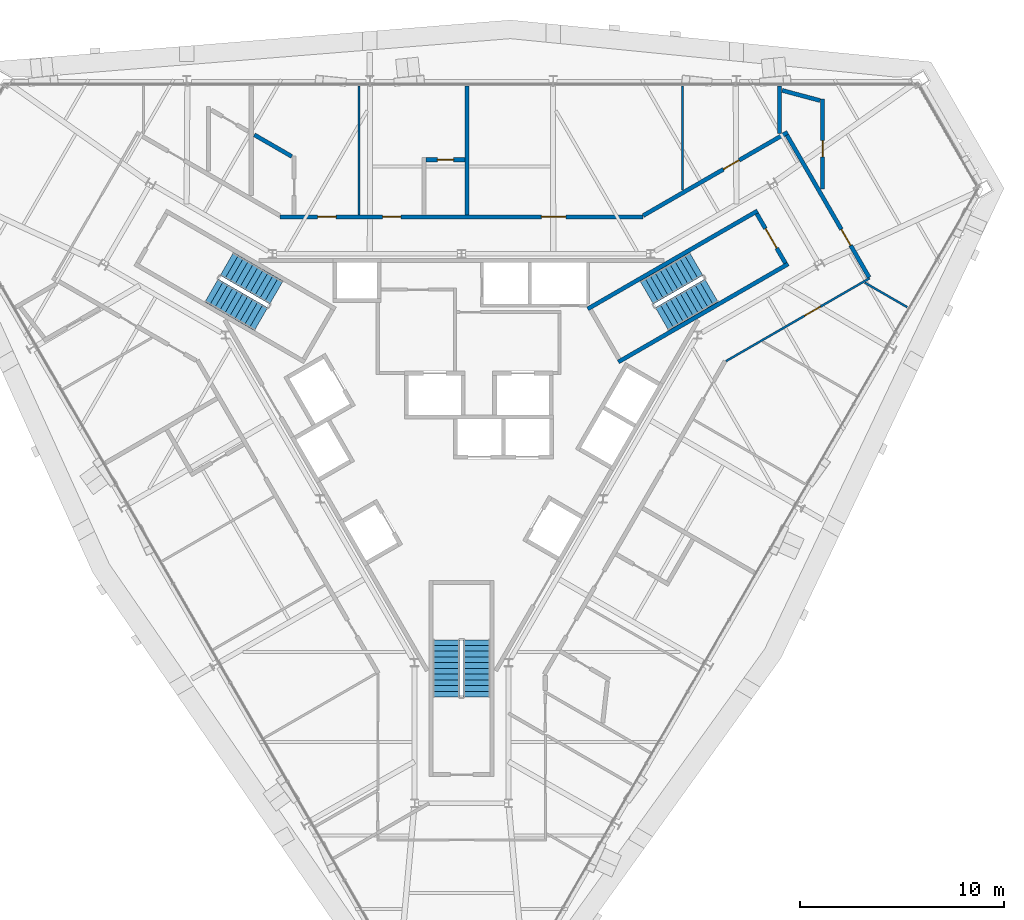
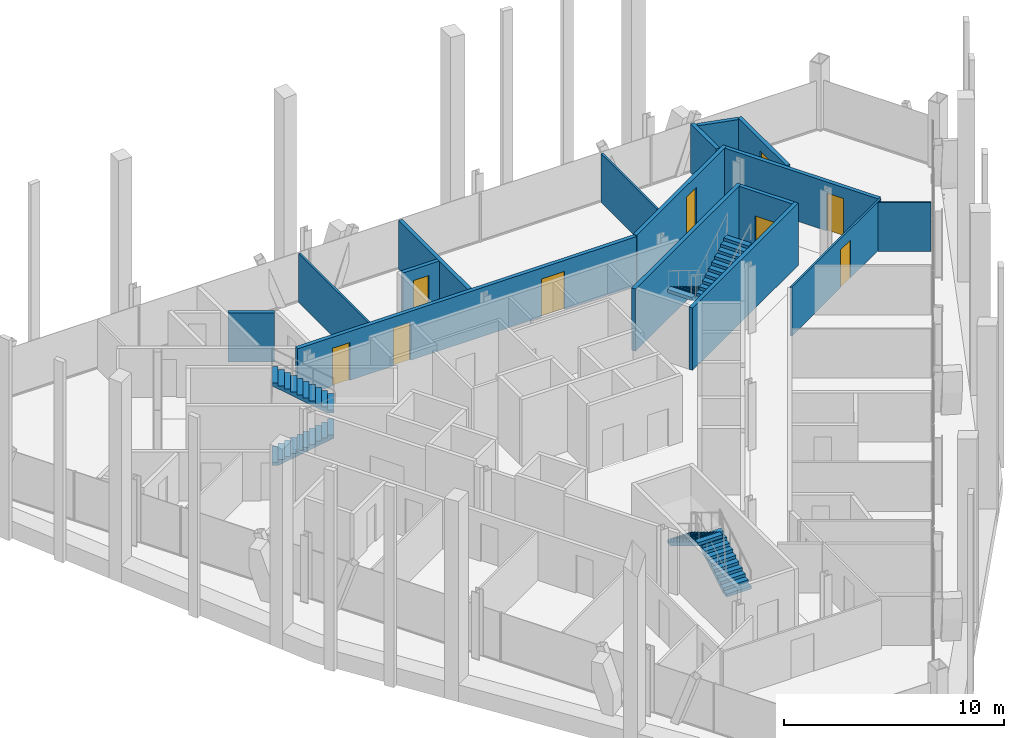
# One storey, part 14 of 16: 16 walls, 9 doors, 6 stair flights, 9 openings, 3 elements without a shape of their own.
"""IFC4 building model written with IfcOpenShell, lengths in metres."""

from ifc_helpers import new_model, si_unit, direction, frame, frame_2d, origin, place, context, subcontext, project, spatial, polyline, rectangle, outline, extrude, material, layer, layer_set, type_object, element, fill, aggregate, save


model = new_model("IFC4")

# Units and contexts
model_context = context("Model", 3, precision=1e-05, world=origin(), true_north=direction((0.0, 1.0)))
body_context = subcontext(model_context, "Body", "Model", "MODEL_VIEW")
ifc_project = project(units=[si_unit("LENGTHUNIT", "METRE"), si_unit("AREAUNIT", "SQUARE_METRE"), si_unit("VOLUMEUNIT", "CUBIC_METRE"), si_unit("PLANEANGLEUNIT", "RADIAN"), si_unit("MASSUNIT", "GRAM", prefix="KILO")], contexts=[model_context])

# Site, building, storey
site_placement = place(None, origin())
site = spatial("IfcSite", under=ifc_project, at=site_placement, CompositionType="ELEMENT")
building_placement = place(site_placement, origin())
building = spatial("IfcBuilding", under=site, at=building_placement, Name="Verrane Prism Tower", CompositionType="ELEMENT")
storey_placement = place(building_placement, frame((0.0, 0.0, 236.0)))
storey = spatial("IfcBuildingStorey", under=building, at=storey_placement, Name="L59", CompositionType="ELEMENT", Elevation=236.0)

# Wall, opening, door
ifc_material_1 = material(Name="Concrete C40/50", Category="concrete")
ifc_layer_1 = layer(ifc_material_1, 0.199951171875)
ifc_layer_set_1 = layer_set([ifc_layer_1], Name="CW-200 stair core wall concrete C40/50 3 h")
wall_type_1 = type_object("IfcWallType", Name="CW-200 stair core wall concrete C40/50 3 h", PredefinedType="PARTITIONING", material=ifc_layer_set_1)
wall_1_placement = place(storey_placement, frame((15.85546875, 7.53759765625, 0.0), z_axis=(0.0, 0.0, 1.0), x_axis=(-0.500049511043, 0.865996816683, 0.0)))
wall_1 = element("IfcWall", 1, at=wall_1_placement, inside=storey, type_object=wall_type_1, Name="Stair 1 enclosure wall", PredefinedType="PARTITIONING", context=body_context, shape_type="SweptSolid", body=[
    extrude(rectangle(XDim=2.800048828125, YDim=0.199951171875, at=frame_2d((1.39990234375, 0.0))), origin(), (0.0, 0.0, 1.0), 3.449951171875),
])
opening_1_placement = place(wall_1_placement, frame((0.849853515625, 0.0, 0.0)))
opening_1 = element("IfcOpeningElement", 2, at=opening_1_placement, cuts=wall_1, Name="Opening D59500", PredefinedType="OPENING", context=body_context, shape_type="SweptSolid", body=[
    extrude(rectangle(XDim=1.10009765625, YDim=2.10009765625, at=frame_2d((0.550048828125, 1.050048828125))), frame((0.0, 0.10986328125, 0.0), z_axis=(0.0, -1.0, 0.0), x_axis=(1.0, 0.0, 0.0)), (0.0, 0.0, 1.0), 0.219970703125),
])
ifc_material_2 = material(Name="Timber veneered door leaf", Category="wood")
door_type_1 = type_object("IfcDoorType", Name="DR-1100x2100 FD90 single leaf stair", OperationType="NOTDEFINED", PredefinedType="DOOR", material=ifc_material_2)
door_1_placement = place(opening_1_placement, origin())
door_1 = element("IfcDoor", 3, at=door_1_placement, inside=storey, type_object=door_type_1, Name="Stair 1 door", OperationType="SINGLE_SWING_LEFT", OverallHeight=2.10009765625, OverallWidth=1.10009765625, PredefinedType="DOOR", context=body_context, shape_type="SweptSolid", body=[
    extrude(rectangle(XDim=1.10009765625, YDim=2.10009765625, at=frame_2d((0.550048828125, 1.050048828125))), frame((0.0, 0.02490234375, 0.0), z_axis=(0.0, -1.0, 0.0), x_axis=(1.0, 0.0, 0.0)), (0.0, 0.0, 1.0), 0.050048828125),
])
fill(opening_1, door_1)

# Walls
for number, where, z_axis, x_axis, name in (
    (4, (6.17822265625, 5.299072265625, 0.0), (0.0, 0.0, 1.0), (0.866019993635, 0.500009370536, 0.0), "Stair 1 enclosure wall"),
    (5, (7.67822265625, 2.700927734375, 0.0), (0.0, 0.0, 1.0), (0.866019993635, 0.500009370536, 0.0), "Stair 1 enclosure wall"),
):
    element("IfcWall", number, at=place(storey_placement, frame(where, z_axis=z_axis, x_axis=x_axis)), inside=storey, type_object=wall_type_1, Name=name, PredefinedType="PARTITIONING", context=body_context, shape_type="SweptSolid", body=[
        extrude(rectangle(XDim=9.599853515625, YDim=0.199951171875, at=frame_2d((4.7998046875, 0.0))), origin(), (0.0, 0.0, 1.0), 3.449951171875),
    ])
ifc_material_3 = material(Name="Gypsum board partition", Category="other")
ifc_layer_2 = layer(ifc_material_3, 0.10009765625)
ifc_layer_set_2 = layer_set([ifc_layer_2], Name="PW-100 room partition")
wall_type_2 = type_object("IfcWallType", Name="PW-100 room partition", PredefinedType="PARTITIONING", material=ifc_layer_set_2)
wall_2_placement = place(storey_placement, frame((-5.014892578125, 9.89990234375, 0.0), z_axis=(0.0, 0.0, 1.0), x_axis=(0.0, 1.0, 0.0)))
element("IfcWall", 6, at=wall_2_placement, inside=storey, type_object=wall_type_2, Name="Room partition 024", PredefinedType="PARTITIONING", context=body_context, shape_type="SweptSolid", body=[
    extrude(rectangle(XDim=6.30615234375, YDim=0.10009765625, at=frame_2d((3.153076171875, 0.0))), origin(), (0.0, 0.0, 1.0), 2.712890625),
])
wall_3_placement = place(storey_placement, frame((10.822021484375, 11.124267578125, 0.0), z_axis=(0.0, 0.0, 1.0), x_axis=(0.0, 1.0, 0.0)))
element("IfcWall", 7, at=wall_3_placement, inside=storey, type_object=wall_type_2, Name="Room partition 048", PredefinedType="PARTITIONING", context=body_context, shape_type="SweptSolid", body=[
    extrude(rectangle(XDim=5.081787109375, YDim=0.10009765625, at=frame_2d((2.541015625, 0.0))), origin(), (0.0, 0.0, 1.0), 2.712890625),
])

# Wall, opening, door
wall_4_placement = place(storey_placement, frame((19.97998046875, 6.801025390625, 0.0), z_axis=(0.0, 0.0, 1.0), x_axis=(-0.866087400697, -0.49989260282, 0.0)))
wall_4 = element("IfcWall", 8, at=wall_4_placement, inside=storey, type_object=wall_type_2, Name="Room partition 050", PredefinedType="PARTITIONING", context=body_context, shape_type="SweptSolid", body=[
    extrude(rectangle(XDim=8.114990234375, YDim=0.10009765625, at=frame_2d((4.0576171875, 0.0))), origin(), (0.0, 0.0, 1.0), 2.712890625),
])
opening_2_placement = place(wall_4_placement, frame((2.777099609375, 0.0, 0.0)))
opening_2 = element("IfcOpeningElement", 9, at=opening_2_placement, cuts=wall_4, Name="Opening D59028", PredefinedType="OPENING", context=body_context, shape_type="SweptSolid", body=[
    extrude(rectangle(XDim=0.89990234375, YDim=2.10009765625, at=frame_2d((0.449951171875, 1.050048828125))), frame((0.0, 0.06005859375, 0.0), z_axis=(0.0, -1.0, 0.0), x_axis=(1.0, 0.0, 0.0)), (0.0, 0.0, 1.0), 0.1201171875),
])
ifc_material_4 = material(Name="Timber veneered door leaf", Category="wood")
door_type_2 = type_object("IfcDoorType", Name="DR-900x2100 single leaf unit", OperationType="NOTDEFINED", PredefinedType="DOOR", material=ifc_material_4)
door_2_placement = place(opening_2_placement, origin())
door_2 = element("IfcDoor", 10, at=door_2_placement, inside=storey, type_object=door_type_2, Name="Study door", OperationType="SINGLE_SWING_LEFT", OverallHeight=2.10009765625, OverallWidth=0.89990234375, PredefinedType="DOOR", context=body_context, shape_type="SweptSolid", body=[
    extrude(rectangle(XDim=0.89990234375, YDim=2.10009765625, at=frame_2d((0.449951171875, 1.050048828125))), frame((0.0, 0.02490234375, 0.0), z_axis=(0.0, -1.0, 0.0), x_axis=(1.0, 0.0, 0.0)), (0.0, 0.0, 1.0), 0.050048828125),
])
fill(opening_2, door_2)

# Walls
wall_5_placement = place(storey_placement, frame((19.7470703125, 6.580810546875, 0.0), z_axis=(0.0, 0.0, 1.0), x_axis=(0.866139751882, -0.499801890962, 0.0)))
element("IfcWall", 11, at=wall_5_placement, inside=storey, type_object=wall_type_2, Name="Room partition 056", PredefinedType="PARTITIONING", context=body_context, shape_type="SweptSolid", body=[
    extrude(rectangle(XDim=2.39453125, YDim=0.10009765625, at=frame_2d((1.197265625, 0.0))), origin(), (0.0, 0.0, 1.0), 2.712890625),
])
ifc_material_5 = material(Name="Gypsum board partition", Category="other")
ifc_layer_3 = layer(ifc_material_5, 0.199951171875)
ifc_layer_set_3 = layer_set([ifc_layer_3], Name="PW-200 plumbing wall")
wall_type_3 = type_object("IfcWallType", Name="PW-200 plumbing wall", PredefinedType="PARTITIONING", material=ifc_layer_set_3)
wall_6_placement = place(storey_placement, frame((-10.14404296875, 13.821533203125, 0.0), z_axis=(0.0, 0.0, 1.0), x_axis=(0.866062654302, -0.49993547466, 0.0)))
element("IfcWall", 12, at=wall_6_placement, inside=storey, type_object=wall_type_3, Name="Plumbing wall 018", PredefinedType="PARTITIONING", context=body_context, shape_type="SweptSolid", body=[
    extrude(rectangle(XDim=2.116455078125, YDim=0.199951171875, at=frame_2d((1.05810546875, 0.0))), origin(), (0.0, 0.0, 1.0), 2.712890625),
])

# Wall, openings, doors
wall_7_placement = place(storey_placement, frame((-8.8779296875, 9.800048828125, 0.0), z_axis=(0.0, 0.0, 1.0), x_axis=(1.0, 0.0, 0.0)))
wall_7 = element("IfcWall", 13, at=wall_7_placement, inside=storey, type_object=wall_type_3, Name="Plumbing wall 020", PredefinedType="PARTITIONING", context=body_context, shape_type="SweptSolid", body=[
    extrude(rectangle(XDim=17.755859375, YDim=0.199951171875, at=frame_2d((8.8779296875, 0.0))), origin(), (0.0, 0.0, 1.0), 2.712890625),
])
opening_3_placement = place(wall_7_placement, frame((12.7919921875, 0.0, 0.0)))
opening_3 = element("IfcOpeningElement", 14, at=opening_3_placement, cuts=wall_7, Name="Opening D59004", PredefinedType="OPENING", context=body_context, shape_type="SweptSolid", body=[
    extrude(rectangle(XDim=1.199951171875, YDim=2.10009765625, at=frame_2d((0.60009765625, 1.050048828125))), frame((0.0, 0.10986328125, 0.0), z_axis=(0.0, -1.0, 0.0), x_axis=(1.0, 0.0, 0.0)), (0.0, 0.0, 1.0), 0.219970703125),
])
opening_4_placement = place(wall_7_placement, frame((5.012939453125, 0.0, 0.0)))
opening_4 = element("IfcOpeningElement", 15, at=opening_4_placement, cuts=wall_7, Name="Opening D59005", PredefinedType="OPENING", context=body_context, shape_type="SweptSolid", body=[
    extrude(rectangle(XDim=0.89990234375, YDim=2.10009765625, at=frame_2d((0.449951171875, 1.050048828125))), frame((0.0, 0.10986328125, 0.0), z_axis=(0.0, -1.0, 0.0), x_axis=(1.0, 0.0, 0.0)), (0.0, 0.0, 1.0), 0.219970703125),
])
opening_5_placement = place(wall_7_placement, frame((1.833984375, 0.0, 0.0)))
opening_5 = element("IfcOpeningElement", 16, at=opening_5_placement, cuts=wall_7, Name="Opening D59007", PredefinedType="OPENING", context=body_context, shape_type="SweptSolid", body=[
    extrude(rectangle(XDim=0.89990234375, YDim=2.10009765625, at=frame_2d((0.449951171875, 1.050048828125))), frame((0.0, 0.10986328125, 0.0), z_axis=(0.0, -1.0, 0.0), x_axis=(1.0, 0.0, 0.0)), (0.0, 0.0, 1.0), 0.219970703125),
])
ifc_material_6 = material(Name="Timber veneered door leaf", Category="wood")
door_type_3 = type_object("IfcDoorType", Name="DR-1200x2100 single leaf unit", OperationType="NOTDEFINED", PredefinedType="DOOR", material=ifc_material_6)
door_3_placement = place(opening_3_placement, origin())
door_3 = element("IfcDoor", 17, at=door_3_placement, inside=storey, type_object=door_type_3, Name="Living And Dining Room door", OperationType="SINGLE_SWING_RIGHT", OverallHeight=2.10009765625, OverallWidth=1.199951171875, PredefinedType="DOOR", context=body_context, shape_type="SweptSolid", body=[
    extrude(rectangle(XDim=1.199951171875, YDim=2.10009765625, at=frame_2d((0.60009765625, 1.050048828125))), frame((0.0, 0.02490234375, 0.0), z_axis=(0.0, -1.0, 0.0), x_axis=(1.0, 0.0, 0.0)), (0.0, 0.0, 1.0), 0.050048828125),
])
fill(opening_3, door_3)
ifc_material_7 = material(Name="Timber veneered door leaf", Category="wood")
door_type_4 = type_object("IfcDoorType", Name="DR-900x2100 single leaf inner", OperationType="NOTDEFINED", PredefinedType="DOOR", material=ifc_material_7)
door_4_placement = place(opening_4_placement, origin())
door_4 = element("IfcDoor", 18, at=door_4_placement, inside=storey, type_object=door_type_4, Name="Bedroom door", OperationType="SINGLE_SWING_LEFT", OverallHeight=2.10009765625, OverallWidth=0.89990234375, PredefinedType="DOOR", context=body_context, shape_type="SweptSolid", body=[
    extrude(rectangle(XDim=0.89990234375, YDim=2.10009765625, at=frame_2d((0.449951171875, 1.050048828125))), frame((0.0, 0.02490234375, 0.0), z_axis=(0.0, -1.0, 0.0), x_axis=(1.0, 0.0, 0.0)), (0.0, 0.0, 1.0), 0.050048828125),
])
fill(opening_4, door_4)
door_5_placement = place(opening_5_placement, origin())
door_5 = element("IfcDoor", 19, at=door_5_placement, inside=storey, type_object=door_type_4, Name="Bedroom door", OperationType="SINGLE_SWING_LEFT", OverallHeight=2.10009765625, OverallWidth=0.89990234375, PredefinedType="DOOR", context=body_context, shape_type="SweptSolid", body=[
    extrude(rectangle(XDim=0.89990234375, YDim=2.10009765625, at=frame_2d((0.449951171875, 1.050048828125))), frame((0.0, 0.02490234375, 0.0), z_axis=(0.0, -1.0, 0.0), x_axis=(1.0, 0.0, 0.0)), (0.0, 0.0, 1.0), 0.050048828125),
])
fill(opening_5, door_5)

# Wall, opening, door
wall_8_placement = place(storey_placement, frame((0.1640625, 12.60009765625, 0.0), z_axis=(0.0, 0.0, 1.0), x_axis=(-1.0, 0.0, 0.0)))
wall_8 = element("IfcWall", 20, at=wall_8_placement, inside=storey, type_object=wall_type_3, Name="Plumbing wall 031", PredefinedType="PARTITIONING", context=body_context, shape_type="SweptSolid", body=[
    extrude(rectangle(XDim=1.900146484375, YDim=0.199951171875, at=frame_2d((0.9501953125, 0.0))), origin(), (0.0, 0.0, 1.0), 2.712890625),
])
opening_6_placement = place(wall_8_placement, frame((0.550048828125, 0.0, 0.0)))
opening_6 = element("IfcOpeningElement", 21, at=opening_6_placement, cuts=wall_8, Name="Opening D59006", PredefinedType="OPENING", context=body_context, shape_type="SweptSolid", body=[
    extrude(rectangle(XDim=0.800048828125, YDim=2.10009765625, at=frame_2d((0.39990234375, 1.050048828125))), frame((0.0, 0.10986328125, 0.0), z_axis=(0.0, -1.0, 0.0), x_axis=(1.0, 0.0, 0.0)), (0.0, 0.0, 1.0), 0.219970703125),
])
ifc_material_8 = material(Name="Timber veneered door leaf", Category="wood")
door_type_5 = type_object("IfcDoorType", Name="DR-800x2100 single leaf bath", OperationType="NOTDEFINED", PredefinedType="DOOR", material=ifc_material_8)
door_6_placement = place(opening_6_placement, origin())
door_6 = element("IfcDoor", 22, at=door_6_placement, inside=storey, type_object=door_type_5, Name="Bathroom door", OperationType="SINGLE_SWING_LEFT", OverallHeight=2.10009765625, OverallWidth=0.800048828125, PredefinedType="DOOR", context=body_context, shape_type="SweptSolid", body=[
    extrude(rectangle(XDim=0.800048828125, YDim=2.10009765625, at=frame_2d((0.39990234375, 1.050048828125))), frame((0.0, 0.02490234375, 0.0), z_axis=(0.0, -1.0, 0.0), x_axis=(1.0, 0.0, 0.0)), (0.0, 0.0, 1.0), 0.050048828125),
])
fill(opening_6, door_6)

# Wall
wall_9_placement = place(storey_placement, frame((0.263916015625, 9.89990234375, 0.0), z_axis=(0.0, 0.0, 1.0), x_axis=(0.0, 1.0, 0.0)))
element("IfcWall", 23, at=wall_9_placement, inside=storey, type_object=wall_type_3, Name="Plumbing wall 032", PredefinedType="PARTITIONING", context=body_context, shape_type="SweptSolid", body=[
    extrude(rectangle(XDim=6.30615234375, YDim=0.199951171875, at=frame_2d((3.153076171875, 0.0))), origin(), (0.0, 0.0, 1.0), 2.712890625),
])

# Wall, opening, door
wall_10_placement = place(storey_placement, frame((8.89501953125, 9.867431640625, 0.0), z_axis=(0.0, 0.0, 1.0), x_axis=(0.866081499088, 0.499902827495, 0.0)))
wall_10 = element("IfcWall", 24, at=wall_10_placement, inside=storey, type_object=wall_type_3, Name="Plumbing wall 046", PredefinedType="PARTITIONING", context=body_context, shape_type="SweptSolid", body=[
    extrude(rectangle(XDim=8.16259765625, YDim=0.199951171875, at=frame_2d((4.081298828125, 0.0))), origin(), (0.0, 0.0, 1.0), 2.712890625),
])
opening_7_placement = place(wall_10_placement, frame((4.52490234375, 0.0, 0.0)))
opening_7 = element("IfcOpeningElement", 25, at=opening_7_placement, cuts=wall_10, Name="Opening D59003", PredefinedType="OPENING", context=body_context, shape_type="SweptSolid", body=[
    extrude(rectangle(XDim=0.89990234375, YDim=2.10009765625, at=frame_2d((0.449951171875, 1.050048828125))), frame((0.0, 0.10986328125, 0.0), z_axis=(0.0, -1.0, 0.0), x_axis=(1.0, 0.0, 0.0)), (0.0, 0.0, 1.0), 0.219970703125),
])
door_7_placement = place(opening_7_placement, origin())
door_7 = element("IfcDoor", 26, at=door_7_placement, inside=storey, type_object=door_type_2, Name="Kitchen door", OperationType="SINGLE_SWING_LEFT", OverallHeight=2.10009765625, OverallWidth=0.89990234375, PredefinedType="DOOR", context=body_context, shape_type="SweptSolid", body=[
    extrude(rectangle(XDim=0.89990234375, YDim=2.10009765625, at=frame_2d((0.449951171875, 1.050048828125))), frame((0.0, 0.02490234375, 0.0), z_axis=(0.0, -1.0, 0.0), x_axis=(1.0, 0.0, 0.0)), (0.0, 0.0, 1.0), 0.050048828125),
])
fill(opening_7, door_7)

# Walls
wall_11_placement = place(storey_placement, frame((15.572998046875, 13.895263671875, 0.0), z_axis=(0.0, 0.0, 1.0), x_axis=(0.0, 1.0, 0.0)))
element("IfcWall", 27, at=wall_11_placement, inside=storey, type_object=wall_type_3, Name="Plumbing wall 052", PredefinedType="PARTITIONING", context=body_context, shape_type="SweptSolid", body=[
    extrude(rectangle(XDim=2.310791015625, YDim=0.199951171875, at=frame_2d((1.1552734375, 0.0))), origin(), (0.0, 0.0, 1.0), 2.712890625),
])
wall_12_placement = place(storey_placement, frame((15.69873046875, 15.996337890625, 0.0), z_axis=(0.0, 0.0, 1.0), x_axis=(0.96599800534, -0.258549518816, 0.0)))
element("IfcWall", 28, at=wall_12_placement, inside=storey, type_object=wall_type_3, Name="Plumbing wall 053", PredefinedType="PARTITIONING", context=body_context, shape_type="SweptSolid", body=[
    extrude(rectangle(XDim=1.918701171875, YDim=0.199951171875, at=frame_2d((0.95947265625, 0.0))), origin(), (0.0, 0.0, 1.0), 2.712890625),
])

# Wall, opening, door
wall_13_placement = place(storey_placement, frame((15.927978515625, 13.8115234375, 0.0), z_axis=(0.0, 0.0, 1.0), x_axis=(0.500422653123, -0.865781247337, 0.0)))
wall_13 = element("IfcWall", 29, at=wall_13_placement, inside=storey, type_object=wall_type_3, Name="Plumbing wall 054", PredefinedType="PARTITIONING", context=body_context, shape_type="SweptSolid", body=[
    extrude(rectangle(XDim=8.04736328125, YDim=0.199951171875, at=frame_2d((4.023681640625, 0.0))), origin(), (0.0, 0.0, 1.0), 2.712890625),
])
opening_8_placement = place(wall_13_placement, frame((5.3369140625, 0.0, 0.0)))
opening_8 = element("IfcOpeningElement", 30, at=opening_8_placement, cuts=wall_13, Name="Opening D59001", PredefinedType="OPENING", context=body_context, shape_type="SweptSolid", body=[
    extrude(rectangle(XDim=0.89990234375, YDim=2.10009765625, at=frame_2d((0.449951171875, 1.050048828125))), frame((0.0, 0.10986328125, 0.0), z_axis=(0.0, -1.0, 0.0), x_axis=(1.0, 0.0, 0.0)), (0.0, 0.0, 1.0), 0.219970703125),
])
door_8_placement = place(opening_8_placement, origin())
door_8 = element("IfcDoor", 31, at=door_8_placement, inside=storey, type_object=door_type_4, Name="Bedroom door", OperationType="SINGLE_SWING_LEFT", OverallHeight=2.10009765625, OverallWidth=0.89990234375, PredefinedType="DOOR", context=body_context, shape_type="SweptSolid", body=[
    extrude(rectangle(XDim=0.89990234375, YDim=2.10009765625, at=frame_2d((0.449951171875, 1.050048828125))), frame((0.0, 0.02490234375, 0.0), z_axis=(0.0, -1.0, 0.0), x_axis=(1.0, 0.0, 0.0)), (0.0, 0.0, 1.0), 0.050048828125),
])
fill(opening_8, door_8)

wall_14_placement = place(storey_placement, frame((17.673095703125, 11.165771484375, 0.0), z_axis=(0.0, 0.0, 1.0), x_axis=(0.0, 1.0, 0.0)))
wall_14 = element("IfcWall", 32, at=wall_14_placement, inside=storey, type_object=wall_type_3, Name="Plumbing wall 055", PredefinedType="PARTITIONING", context=body_context, shape_type="SweptSolid", body=[
    extrude(rectangle(XDim=4.40234375, YDim=0.199951171875, at=frame_2d((2.201171875, 0.0))), origin(), (0.0, 0.0, 1.0), 2.712890625),
])
opening_9_placement = place(wall_14_placement, frame((1.5771484375, 0.0, 0.0)))
opening_9 = element("IfcOpeningElement", 33, at=opening_9_placement, cuts=wall_14, Name="Opening D59002", PredefinedType="OPENING", context=body_context, shape_type="SweptSolid", body=[
    extrude(rectangle(XDim=0.800048828125, YDim=2.10009765625, at=frame_2d((0.39990234375, 1.050048828125))), frame((0.0, 0.10986328125, 0.0), z_axis=(0.0, -1.0, 0.0), x_axis=(1.0, 0.0, 0.0)), (0.0, 0.0, 1.0), 0.219970703125),
])
door_9_placement = place(opening_9_placement, origin())
door_9 = element("IfcDoor", 34, at=door_9_placement, inside=storey, type_object=door_type_5, Name="Bathroom door", OperationType="SINGLE_SWING_RIGHT", OverallHeight=2.10009765625, OverallWidth=0.800048828125, PredefinedType="DOOR", context=body_context, shape_type="SweptSolid", body=[
    extrude(rectangle(XDim=0.800048828125, YDim=2.10009765625, at=frame_2d((0.39990234375, 1.050048828125))), frame((0.0, 0.02490234375, 0.0), z_axis=(0.0, -1.0, 0.0), x_axis=(1.0, 0.0, 0.0)), (0.0, 0.0, 1.0), 0.050048828125),
])
fill(opening_9, door_9)

# Stair, stair flights
ifc_material_9 = material(Name="Concrete C40/50", Category="concrete")
stair_type = type_object("IfcStairType", Name="Exit stair 1300 dog-leg precast concrete C40/50", PredefinedType="HALF_TURN_STAIR", material=ifc_material_9)
stair_1_placement = place(storey_placement, origin())
stair_1 = element("IfcStair", 35, at=stair_1_placement, inside=storey, type_object=stair_type, Name="Stair 1 L59", PredefinedType="HALF_TURN_STAIR")
ifc_material_10 = material(Name="Concrete C40/50", Category="concrete")
stair_flight_type = type_object("IfcStairFlightType", Name="Stair flight 1300 precast concrete C40/50", PredefinedType="STRAIGHT", material=ifc_material_10)
stair_flight_1_placement = place(storey_placement, frame((11.489501953125, 7.49951171875, 0.0), z_axis=(0.0, 0.0, 1.0), x_axis=(-0.866025403784, -0.5, 0.0)))
stair_flight_1 = element("IfcStairFlight", 36, at=stair_flight_1_placement, type_object=stair_flight_type, Name="Stair 1 flight 1", NumberOfRisers=11, NumberOfTreads=10, PredefinedType="STRAIGHT", RiserHeight=0.168181818, TreadLength=0.28, context=body_context, shape_type="SweptSolid", body=[
    extrude(outline(polyline([(0.0, 0.0), (0.0, 0.168212890625), (0.280029296875, 0.168212890625), (0.280029296875, 0.33642578125), (0.56005859375, 0.33642578125), (0.56005859375, 0.504638671875), (0.840087890625, 0.504638671875), (0.840087890625, 0.672607421875), (1.1201171875, 0.672607421875), (1.1201171875, 0.8408203125), (1.39990234375, 0.8408203125), (1.39990234375, 1.009033203125), (1.679931640625, 1.009033203125), (1.679931640625, 1.17724609375), (1.9599609375, 1.17724609375), (1.9599609375, 1.345458984375), (2.239990234375, 1.345458984375), (2.239990234375, 1.513671875), (2.52001953125, 1.513671875), (2.52001953125, 1.681884765625), (2.800048828125, 1.681884765625), (2.800048828125, 1.85009765625), (2.800048828125, 1.5068359375), (0.291015625, 0.0), (0.0, 0.0)])), frame((0.0, 0.64990234375, 0.0), z_axis=(0.0, -1.0, 0.0), x_axis=(1.0, 0.0, 0.0)), (0.0, 0.0, 1.0), 1.300048828125),
])
stair_flight_2_placement = place(storey_placement, frame((9.814697265625, 4.800537109375, 1.85009765625), z_axis=(0.0, 0.0, 1.0), x_axis=(0.866025403784, 0.5, 0.0)))
stair_flight_2 = element("IfcStairFlight", 37, at=stair_flight_2_placement, type_object=stair_flight_type, Name="Stair 1 flight 2", NumberOfRisers=11, NumberOfTreads=10, PredefinedType="STRAIGHT", RiserHeight=0.168181818, TreadLength=0.28, context=body_context, shape_type="SweptSolid", body=[
    extrude(outline(polyline([(0.0, 0.0), (0.0, 0.168212890625), (0.280029296875, 0.168212890625), (0.280029296875, 0.33642578125), (0.56005859375, 0.33642578125), (0.56005859375, 0.504638671875), (0.840087890625, 0.504638671875), (0.840087890625, 0.672607421875), (1.1201171875, 0.672607421875), (1.1201171875, 0.8408203125), (1.39990234375, 0.8408203125), (1.39990234375, 1.009033203125), (1.679931640625, 1.009033203125), (1.679931640625, 1.17724609375), (1.9599609375, 1.17724609375), (1.9599609375, 1.345458984375), (2.239990234375, 1.345458984375), (2.239990234375, 1.513671875), (2.52001953125, 1.513671875), (2.52001953125, 1.681884765625), (2.800048828125, 1.681884765625), (2.800048828125, 1.85009765625), (2.800048828125, 1.5068359375), (0.291015625, 0.0), (0.0, 0.0)])), frame((0.0, 0.64990234375, 0.0), z_axis=(0.0, -1.0, 0.0), x_axis=(1.0, 0.0, 0.0)), (0.0, 0.0, 1.0), 1.300048828125),
])
aggregate(stair_1, [stair_flight_1, stair_flight_2])

stair_2_placement = place(storey_placement, origin())
stair_2 = element("IfcStair", 38, at=stair_2_placement, inside=storey, type_object=stair_type, Name="Stair 2 L59", PredefinedType="HALF_TURN_STAIR")
stair_flight_3_placement = place(storey_placement, frame((-12.239501953125, 6.200439453125, 0.0), z_axis=(0.0, 0.0, 1.0), x_axis=(0.866025403784, -0.5, 0.0)))
stair_flight_3 = element("IfcStairFlight", 39, at=stair_flight_3_placement, type_object=stair_flight_type, Name="Stair 2 flight 1", NumberOfRisers=11, NumberOfTreads=10, PredefinedType="STRAIGHT", RiserHeight=0.168181818, TreadLength=0.28, context=body_context, shape_type="SweptSolid", body=[
    extrude(outline(polyline([(0.0, 0.0), (0.0, 0.168212890625), (0.280029296875, 0.168212890625), (0.280029296875, 0.33642578125), (0.56005859375, 0.33642578125), (0.56005859375, 0.504638671875), (0.840087890625, 0.504638671875), (0.840087890625, 0.672607421875), (1.1201171875, 0.672607421875), (1.1201171875, 0.8408203125), (1.39990234375, 0.8408203125), (1.39990234375, 1.009033203125), (1.679931640625, 1.009033203125), (1.679931640625, 1.17724609375), (1.9599609375, 1.17724609375), (1.9599609375, 1.345458984375), (2.239990234375, 1.345458984375), (2.239990234375, 1.513671875), (2.52001953125, 1.513671875), (2.52001953125, 1.681884765625), (2.800048828125, 1.681884765625), (2.800048828125, 1.85009765625), (2.800048828125, 1.5068359375), (0.291015625, 0.0), (0.0, 0.0)])), frame((0.0, 0.64990234375, 0.0), z_axis=(0.0, -1.0, 0.0), x_axis=(1.0, 0.0, 0.0)), (0.0, 0.0, 1.0), 1.300048828125),
])
stair_flight_4_placement = place(storey_placement, frame((-9.064697265625, 6.099609375, 1.85009765625), z_axis=(0.0, 0.0, 1.0), x_axis=(-0.866025403784, 0.5, 0.0)))
stair_flight_4 = element("IfcStairFlight", 40, at=stair_flight_4_placement, type_object=stair_flight_type, Name="Stair 2 flight 2", NumberOfRisers=11, NumberOfTreads=10, PredefinedType="STRAIGHT", RiserHeight=0.168181818, TreadLength=0.28, context=body_context, shape_type="SweptSolid", body=[
    extrude(outline(polyline([(0.0, 0.0), (0.0, 0.168212890625), (0.280029296875, 0.168212890625), (0.280029296875, 0.33642578125), (0.56005859375, 0.33642578125), (0.56005859375, 0.504638671875), (0.840087890625, 0.504638671875), (0.840087890625, 0.672607421875), (1.1201171875, 0.672607421875), (1.1201171875, 0.8408203125), (1.39990234375, 0.8408203125), (1.39990234375, 1.009033203125), (1.679931640625, 1.009033203125), (1.679931640625, 1.17724609375), (1.9599609375, 1.17724609375), (1.9599609375, 1.345458984375), (2.239990234375, 1.345458984375), (2.239990234375, 1.513671875), (2.52001953125, 1.513671875), (2.52001953125, 1.681884765625), (2.800048828125, 1.681884765625), (2.800048828125, 1.85009765625), (2.800048828125, 1.5068359375), (0.291015625, 0.0), (0.0, 0.0)])), frame((0.0, 0.64990234375, 0.0), z_axis=(0.0, -1.0, 0.0), x_axis=(1.0, 0.0, 0.0)), (0.0, 0.0, 1.0), 1.300048828125),
])
aggregate(stair_2, [stair_flight_3, stair_flight_4])

stair_3_placement = place(storey_placement, origin())
stair_3 = element("IfcStair", 41, at=stair_3_placement, inside=storey, type_object=stair_type, Name="Stair 3 L59", PredefinedType="HALF_TURN_STAIR")
stair_flight_5_placement = place(storey_placement, frame((0.75, -13.699951171875, 0.0), z_axis=(0.0, 0.0, 1.0), x_axis=(0.0, 1.0, 0.0)))
stair_flight_5 = element("IfcStairFlight", 42, at=stair_flight_5_placement, type_object=stair_flight_type, Name="Stair 3 flight 1", NumberOfRisers=11, NumberOfTreads=10, PredefinedType="STRAIGHT", RiserHeight=0.168181818, TreadLength=0.28, context=body_context, shape_type="SweptSolid", body=[
    extrude(outline(polyline([(0.0, 0.0), (0.0, 0.168212890625), (0.280029296875, 0.168212890625), (0.280029296875, 0.33642578125), (0.56005859375, 0.33642578125), (0.56005859375, 0.504638671875), (0.840087890625, 0.504638671875), (0.840087890625, 0.672607421875), (1.1201171875, 0.672607421875), (1.1201171875, 0.8408203125), (1.39990234375, 0.8408203125), (1.39990234375, 1.009033203125), (1.679931640625, 1.009033203125), (1.679931640625, 1.17724609375), (1.9599609375, 1.17724609375), (1.9599609375, 1.345458984375), (2.239990234375, 1.345458984375), (2.239990234375, 1.513671875), (2.52001953125, 1.513671875), (2.52001953125, 1.681884765625), (2.800048828125, 1.681884765625), (2.800048828125, 1.85009765625), (2.800048828125, 1.5068359375), (0.291015625, 0.0), (0.0, 0.0)])), frame((0.0, 0.64990234375, 0.0), z_axis=(0.0, -1.0, 0.0), x_axis=(1.0, 0.0, 0.0)), (0.0, 0.0, 1.0), 1.300048828125),
])
stair_flight_6_placement = place(storey_placement, frame((-0.75, -10.89990234375, 1.85009765625), z_axis=(0.0, 0.0, 1.0), x_axis=(0.0, -1.0, 0.0)))
stair_flight_6 = element("IfcStairFlight", 43, at=stair_flight_6_placement, type_object=stair_flight_type, Name="Stair 3 flight 2", NumberOfRisers=11, NumberOfTreads=10, PredefinedType="STRAIGHT", RiserHeight=0.168181818, TreadLength=0.28, context=body_context, shape_type="SweptSolid", body=[
    extrude(outline(polyline([(0.0, 0.0), (0.0, 0.168212890625), (0.280029296875, 0.168212890625), (0.280029296875, 0.33642578125), (0.56005859375, 0.33642578125), (0.56005859375, 0.504638671875), (0.840087890625, 0.504638671875), (0.840087890625, 0.672607421875), (1.1201171875, 0.672607421875), (1.1201171875, 0.8408203125), (1.39990234375, 0.8408203125), (1.39990234375, 1.009033203125), (1.679931640625, 1.009033203125), (1.679931640625, 1.17724609375), (1.9599609375, 1.17724609375), (1.9599609375, 1.345458984375), (2.239990234375, 1.345458984375), (2.239990234375, 1.513671875), (2.52001953125, 1.513671875), (2.52001953125, 1.681884765625), (2.800048828125, 1.681884765625), (2.800048828125, 1.85009765625), (2.800048828125, 1.5068359375), (0.291015625, 0.0), (0.0, 0.0)])), frame((0.0, 0.64990234375, 0.0), z_axis=(0.0, -1.0, 0.0), x_axis=(1.0, 0.0, 0.0)), (0.0, 0.0, 1.0), 1.300048828125),
])
aggregate(stair_3, [stair_flight_5, stair_flight_6])

save(model, "model.ifc")
